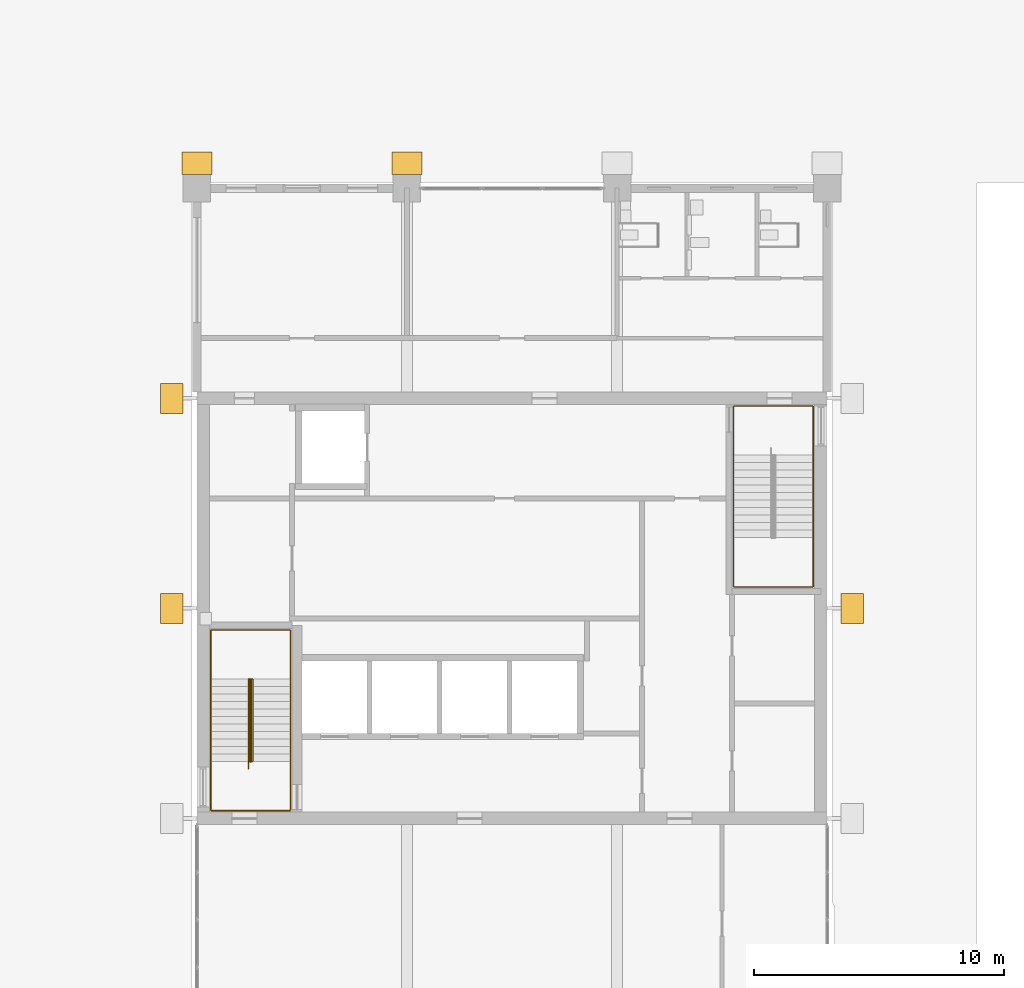
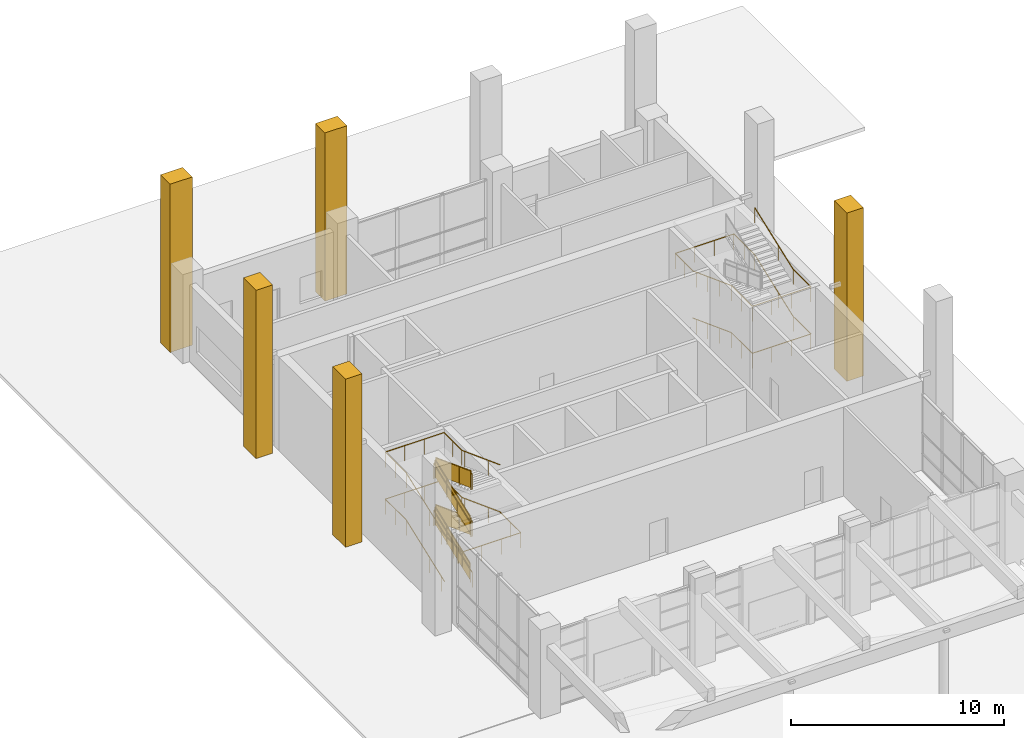
# One storey, part 68 of 74: 7 railings, 5 coverings.
"""IFC4 building model written with IfcOpenShell, lengths in metres."""

from ifc_helpers import new_model, si_unit, direction, frame, origin, origin_2d, place, context, subcontext, project, spatial, polyline, rectangle, circle, outline, extrude, material, type_object, element, save


model = new_model("IFC4")

# Units and contexts
model_context = context("Model", 3, precision=1e-05, world=origin(), true_north=direction((0.0, 1.0)))
body_context = subcontext(model_context, "Body", "Model", "MODEL_VIEW")
ifc_project = project(units=[si_unit("LENGTHUNIT", "METRE"), si_unit("AREAUNIT", "SQUARE_METRE"), si_unit("VOLUMEUNIT", "CUBIC_METRE"), si_unit("PLANEANGLEUNIT", "RADIAN"), si_unit("MASSUNIT", "GRAM", prefix="KILO")], contexts=[model_context])

# Site, building, storey
site_placement = place(None, origin())
site = spatial("IfcSite", under=ifc_project, at=site_placement, CompositionType="ELEMENT")
building_placement = place(site_placement, origin())
building = spatial("IfcBuilding", under=site, at=building_placement, Name="Rulbaag Community and Learning Centre", CompositionType="ELEMENT")
storey_placement = place(building_placement, origin())
storey = spatial("IfcBuildingStorey", under=building, at=storey_placement, Name="L00", CompositionType="ELEMENT", Elevation=0.0)

# Railings
ifc_material_1 = material(Name="Galvanised mild steel", Category="steel")
railing_type_1 = type_object("IfcRailingType", Name="GR-1100 GUARD 1100", PredefinedType="GUARDRAIL", material=ifc_material_1)
railing_1_placement = place(storey_placement, frame((144.929931640625, 94.675048828125, 0.112548828125)))
element("IfcRailing", 1, at=railing_1_placement, inside=storey, type_object=railing_type_1, Name="Guard ST1 L00 G", PredefinedType="GUARDRAIL", context=body_context, shape_type="SweptSolid", body=[
    extrude(circle(Radius=0.02490234375, at=origin_2d()), frame((0.0, 0.0, 1.0751953125), z_axis=(0.0, 0.936326330815, 0.35113103284), x_axis=(-1.0, 0.0, 0.0)), (0.0, 0.0, 1.0), 3.5244140625),
    extrude(circle(Radius=0.02001953125, at=origin_2d()), origin(), (0.0, 0.0, 1.0), 1.050048828125),
    extrude(circle(Radius=0.02001953125, at=origin_2d()), frame((0.0, 1.10009765625, 0.41259765625)), (0.0, 0.0, 1.0), 1.050048828125),
    extrude(circle(Radius=0.02001953125, at=origin_2d()), frame((0.0, 2.199951171875, 0.824951171875)), (0.0, 0.0, 1.0), 1.050048828125),
    extrude(circle(Radius=0.02001953125, at=origin_2d()), frame((0.0, 3.300048828125, 1.237548828125)), (0.0, 0.0, 1.0), 1.050048828125),
    extrude(outline(polyline([(0.0, 0.0), (3.300048828125, 1.237548828125), (3.300048828125, 2.1875), (0.0, 0.949951171875), (0.0, 0.0)])), frame((-0.0048828125, 0.0, 0.10009765625), z_axis=(1.0, 0.0, 0.0), x_axis=(0.0, 1.0, 0.0)), (0.0, 0.0, 1.0), 0.010009765625),
])
railing_2_placement = place(storey_placement, frame((144.969970703125, 97.97509765625, 1.46240234375)))
element("IfcRailing", 2, at=railing_2_placement, inside=storey, type_object=railing_type_1, Name="Guard ST1 L00 G2", PredefinedType="GUARDRAIL", context=body_context, shape_type="SweptSolid", body=[
    extrude(circle(Radius=0.02490234375, at=origin_2d()), frame((0.0, 0.0, 1.0751953125), z_axis=(0.0, -0.936326330815, 0.35113103284), x_axis=(1.0, 0.0, 0.0)), (0.0, 0.0, 1.0), 3.5244140625),
    extrude(circle(Radius=0.02001953125, at=origin_2d()), origin(), (0.0, 0.0, 1.0), 1.050048828125),
    extrude(circle(Radius=0.02001953125, at=origin_2d()), frame((0.0, -1.10009765625, 0.41259765625)), (0.0, 0.0, 1.0), 1.050048828125),
    extrude(circle(Radius=0.02001953125, at=origin_2d()), frame((0.0, -2.199951171875, 0.824951171875)), (0.0, 0.0, 1.0), 1.050048828125),
    extrude(circle(Radius=0.02001953125, at=origin_2d()), frame((0.0, -3.300048828125, 1.237548828125)), (0.0, 0.0, 1.0), 1.050048828125),
    extrude(outline(polyline([(0.0, 0.0), (3.300048828125, 1.237548828125), (3.300048828125, 2.1875), (0.0, 0.949951171875), (0.0, 0.0)])), frame((0.0048828125, 0.0, 0.10009765625), z_axis=(-1.0, 0.0, 0.0), x_axis=(0.0, -1.0, 0.0)), (0.0, 0.0, 1.0), 0.010009765625),
])
railing_3_placement = place(storey_placement, frame((144.929931640625, 94.675048828125, 2.8125)))
element("IfcRailing", 3, at=railing_3_placement, inside=storey, type_object=railing_type_1, Name="Guard ST1 L00 G3", PredefinedType="GUARDRAIL", context=body_context, shape_type="SweptSolid", body=[
    extrude(circle(Radius=0.02490234375, at=origin_2d()), frame((0.0, 0.0, 1.0751953125), z_axis=(0.0, 0.936326330815, 0.35113103284), x_axis=(-1.0, 0.0, 0.0)), (0.0, 0.0, 1.0), 3.5244140625),
    extrude(circle(Radius=0.02001953125, at=origin_2d()), origin(), (0.0, 0.0, 1.0), 1.050048828125),
    extrude(circle(Radius=0.02001953125, at=origin_2d()), frame((0.0, 1.10009765625, 0.41259765625)), (0.0, 0.0, 1.0), 1.050048828125),
    extrude(circle(Radius=0.02001953125, at=origin_2d()), frame((0.0, 2.199951171875, 0.824951171875)), (0.0, 0.0, 1.0), 1.050048828125),
    extrude(circle(Radius=0.02001953125, at=origin_2d()), frame((0.0, 3.300048828125, 1.237548828125)), (0.0, 0.0, 1.0), 1.050048828125),
    extrude(outline(polyline([(0.0, 0.0), (3.300048828125, 1.237548828125), (3.300048828125, 2.1875), (0.0, 0.949951171875), (0.0, 0.0)])), frame((-0.0048828125, 0.0, 0.10009765625), z_axis=(1.0, 0.0, 0.0), x_axis=(0.0, 1.0, 0.0)), (0.0, 0.0, 1.0), 0.010009765625),
])
railing_4_placement = place(storey_placement, frame((144.969970703125, 97.97509765625, 4.16259765625)))
element("IfcRailing", 4, at=railing_4_placement, inside=storey, type_object=railing_type_1, Name="Guard ST1 L00 G4", PredefinedType="GUARDRAIL", context=body_context, shape_type="SweptSolid", body=[
    extrude(circle(Radius=0.02490234375, at=origin_2d()), frame((0.0, 0.0, 1.0751953125), z_axis=(0.0, -0.936349103612, 0.351070300888), x_axis=(1.0, 0.0, 0.0)), (0.0, 0.0, 1.0), 3.5244140625),
    extrude(circle(Radius=0.02001953125, at=origin_2d()), origin(), (0.0, 0.0, 1.0), 1.050048828125),
    extrude(circle(Radius=0.02001953125, at=origin_2d()), frame((0.0, -1.10009765625, 0.412353515625)), (0.0, 0.0, 1.0), 1.050048828125),
    extrude(circle(Radius=0.02001953125, at=origin_2d()), frame((0.0, -2.199951171875, 0.824951171875)), (0.0, 0.0, 1.0), 1.050048828125),
    extrude(circle(Radius=0.02001953125, at=origin_2d()), frame((0.0, -3.300048828125, 1.2373046875)), (0.0, 0.0, 1.0), 1.050048828125),
    extrude(outline(polyline([(0.0, 0.0), (3.300048828125, 1.2373046875), (3.300048828125, 2.187255859375), (0.0, 0.949951171875), (0.0, 0.0)])), frame((0.0048828125, 0.0, 0.10009765625), z_axis=(-1.0, 0.0, 0.0), x_axis=(0.0, -1.0, 0.0)), (0.0, 0.0, 1.0), 0.010009765625),
])
ifc_material_2 = material(Name="Stainless steel grade 316", Category="steel")
railing_type_2 = type_object("IfcRailingType", Name="HR-900 HANDRAIL 900", PredefinedType="HANDRAIL", material=ifc_material_2)
railing_5_placement = place(storey_placement, frame((143.360107421875, 94.375, 0.0)))
element("IfcRailing", 5, at=railing_5_placement, inside=storey, type_object=railing_type_2, Name="Handrail ST1 L00 O", PredefinedType="HANDRAIL", context=body_context, shape_type="SweptSolid", body=[
    extrude(circle(Radius=0.024169921875, at=origin_2d()), frame((0.0, 0.0, 0.875732421875), z_axis=(0.0, 0.936297865471, 0.351206929196), x_axis=(-1.0, 0.0, 0.0)), (0.0, 0.0, 1.0), 0.320556640625),
    extrude(circle(Radius=0.024169921875, at=origin_2d()), frame((0.0, 0.300048828125, 0.98828125), z_axis=(0.0, 0.936326330815, 0.35113103284), x_axis=(-1.0, 0.0, 0.0)), (0.0, 0.0, 1.0), 3.5244140625),
    extrude(circle(Radius=0.024169921875, at=origin_2d()), frame((0.0, 3.60009765625, 2.225830078125), z_axis=(0.0, 1.0, 0.0), x_axis=(-1.0, 0.0, 0.0)), (0.0, 0.0, 1.0), 1.96484375),
    extrude(circle(Radius=0.024169921875, at=origin_2d()), frame((0.0, 5.56494140625, 2.225830078125), z_axis=(1.0, 0.0, 0.0), x_axis=(0.0, 1.0, 0.0)), (0.0, 0.0, 1.0), 3.179931640625),
    extrude(circle(Radius=0.024169921875, at=origin_2d()), frame((3.179931640625, 5.56494140625, 2.225830078125), z_axis=(0.0, -1.0, 0.0), x_axis=(1.0, 0.0, 0.0)), (0.0, 0.0, 1.0), 1.6650390625),
    extrude(circle(Radius=0.024169921875, at=origin_2d()), frame((3.179931640625, 3.89990234375, 2.225830078125), z_axis=(0.0, -0.936454474348, 0.350789135342), x_axis=(1.0, 0.0, 0.0)), (0.0, 0.0, 1.0), 0.320068359375),
    extrude(circle(Radius=0.024169921875, at=origin_2d()), frame((3.179931640625, 3.60009765625, 2.338134765625), z_axis=(0.0, -0.936326330815, 0.35113103284), x_axis=(1.0, 0.0, 0.0)), (0.0, 0.0, 1.0), 3.5244140625),
    extrude(circle(Radius=0.024169921875, at=origin_2d()), frame((3.179931640625, 0.300048828125, 3.57568359375), z_axis=(0.0, -1.0, 0.0), x_axis=(1.0, 0.0, 0.0)), (0.0, 0.0, 1.0), 1.965087890625),
    extrude(circle(Radius=0.024169921875, at=origin_2d()), frame((3.179931640625, -1.6650390625, 3.57568359375), z_axis=(-1.0, 0.0, 0.0), x_axis=(0.0, -1.0, 0.0)), (0.0, 0.0, 1.0), 3.179931640625),
    extrude(circle(Radius=0.024169921875, at=origin_2d()), frame((0.0, -1.6650390625, 3.57568359375), z_axis=(0.0, 1.0, 0.0), x_axis=(-1.0, 0.0, 0.0)), (0.0, 0.0, 1.0), 1.6650390625),
    extrude(circle(Radius=0.024169921875, at=origin_2d()), frame((0.0, 0.0, 3.57568359375), z_axis=(0.0, 0.936297865471, 0.351206929196), x_axis=(-1.0, 0.0, 0.0)), (0.0, 0.0, 1.0), 0.320556640625),
    extrude(circle(Radius=0.024169921875, at=origin_2d()), frame((0.0, 0.300048828125, 3.688232421875), z_axis=(0.0, 0.936326330815, 0.35113103284), x_axis=(-1.0, 0.0, 0.0)), (0.0, 0.0, 1.0), 3.5244140625),
    extrude(circle(Radius=0.024169921875, at=origin_2d()), frame((0.0, 3.60009765625, 4.92578125), z_axis=(0.0, 1.0, 0.0), x_axis=(-1.0, 0.0, 0.0)), (0.0, 0.0, 1.0), 1.96484375),
    extrude(circle(Radius=0.024169921875, at=origin_2d()), frame((0.0, 5.56494140625, 4.92578125), z_axis=(1.0, 0.0, 0.0), x_axis=(0.0, 1.0, 0.0)), (0.0, 0.0, 1.0), 3.179931640625),
    extrude(circle(Radius=0.024169921875, at=origin_2d()), frame((3.179931640625, 5.56494140625, 4.92578125), z_axis=(0.0, -1.0, 0.0), x_axis=(1.0, 0.0, 0.0)), (0.0, 0.0, 1.0), 1.6650390625),
    extrude(circle(Radius=0.024169921875, at=origin_2d()), frame((3.179931640625, 3.89990234375, 4.92578125), z_axis=(0.0, -0.936203795034, 0.351457613608), x_axis=(1.0, 0.0, 0.0)), (0.0, 0.0, 1.0), 0.3203125),
    extrude(circle(Radius=0.024169921875, at=origin_2d()), frame((3.179931640625, 3.60009765625, 5.038330078125), z_axis=(0.0, -0.936349103612, 0.351070300888), x_axis=(1.0, 0.0, 0.0)), (0.0, 0.0, 1.0), 3.5244140625),
    extrude(circle(Radius=0.008056640625, at=origin_2d()), origin(), (0.0, 0.0, 1.0), 0.8515625),
    extrude(circle(Radius=0.008056640625, at=origin_2d()), frame((0.0, 0.300048828125, 0.112548828125)), (0.0, 0.0, 1.0), 0.8515625),
    extrude(circle(Radius=0.008056640625, at=origin_2d()), frame((0.0, 1.400146484375, 0.525146484375)), (0.0, 0.0, 1.0), 0.8515625),
    extrude(circle(Radius=0.008056640625, at=origin_2d()), frame((0.0, 2.5, 0.9375)), (0.0, 0.0, 1.0), 0.8515625),
    extrude(circle(Radius=0.008056640625, at=origin_2d()), frame((0.0, 3.60009765625, 1.35009765625)), (0.0, 0.0, 1.0), 0.8515625),
    extrude(circle(Radius=0.008056640625, at=origin_2d()), frame((0.0, 4.58251953125, 1.35009765625)), (0.0, 0.0, 1.0), 0.8515625),
    extrude(circle(Radius=0.008056640625, at=origin_2d()), frame((0.0, 5.56494140625, 1.35009765625)), (0.0, 0.0, 1.0), 0.8515625),
    extrude(circle(Radius=0.008056640625, at=origin_2d()), frame((1.06005859375, 5.56494140625, 1.35009765625)), (0.0, 0.0, 1.0), 0.8515625),
    extrude(circle(Radius=0.008056640625, at=origin_2d()), frame((2.119873046875, 5.56494140625, 1.35009765625)), (0.0, 0.0, 1.0), 0.8515625),
    extrude(circle(Radius=0.008056640625, at=origin_2d()), frame((3.179931640625, 5.56494140625, 1.35009765625)), (0.0, 0.0, 1.0), 0.8515625),
    extrude(circle(Radius=0.008056640625, at=origin_2d()), frame((3.179931640625, 4.732421875, 1.35009765625)), (0.0, 0.0, 1.0), 0.8515625),
    extrude(circle(Radius=0.008056640625, at=origin_2d()), frame((3.179931640625, 3.89990234375, 1.35009765625)), (0.0, 0.0, 1.0), 0.8515625),
    extrude(circle(Radius=0.008056640625, at=origin_2d()), frame((3.179931640625, 3.60009765625, 1.46240234375)), (0.0, 0.0, 1.0), 0.8515625),
    extrude(circle(Radius=0.008056640625, at=origin_2d()), frame((3.179931640625, 2.5, 1.875)), (0.0, 0.0, 1.0), 0.8515625),
    extrude(circle(Radius=0.008056640625, at=origin_2d()), frame((3.179931640625, 1.400146484375, 2.287353515625)), (0.0, 0.0, 1.0), 0.8515625),
    extrude(circle(Radius=0.008056640625, at=origin_2d()), frame((3.179931640625, 0.300048828125, 2.699951171875)), (0.0, 0.0, 1.0), 0.8515625),
    extrude(circle(Radius=0.008056640625, at=origin_2d()), frame((3.179931640625, -0.6826171875, 2.699951171875)), (0.0, 0.0, 1.0), 0.8515625),
    extrude(circle(Radius=0.008056640625, at=origin_2d()), frame((3.179931640625, -1.6650390625, 2.699951171875)), (0.0, 0.0, 1.0), 0.8515625),
    extrude(circle(Radius=0.008056640625, at=origin_2d()), frame((2.119873046875, -1.6650390625, 2.699951171875)), (0.0, 0.0, 1.0), 0.8515625),
    extrude(circle(Radius=0.008056640625, at=origin_2d()), frame((1.06005859375, -1.6650390625, 2.699951171875)), (0.0, 0.0, 1.0), 0.8515625),
    extrude(circle(Radius=0.008056640625, at=origin_2d()), frame((0.0, -1.6650390625, 2.699951171875)), (0.0, 0.0, 1.0), 0.8515625),
    extrude(circle(Radius=0.008056640625, at=origin_2d()), frame((0.0, -0.83251953125, 2.699951171875)), (0.0, 0.0, 1.0), 0.8515625),
    extrude(circle(Radius=0.008056640625, at=origin_2d()), frame((0.0, 0.0, 2.699951171875)), (0.0, 0.0, 1.0), 0.8515625),
    extrude(circle(Radius=0.008056640625, at=origin_2d()), frame((0.0, 0.300048828125, 2.8125)), (0.0, 0.0, 1.0), 0.8515625),
    extrude(circle(Radius=0.008056640625, at=origin_2d()), frame((0.0, 1.400146484375, 3.22509765625)), (0.0, 0.0, 1.0), 0.8515625),
    extrude(circle(Radius=0.008056640625, at=origin_2d()), frame((0.0, 2.5, 3.637451171875)), (0.0, 0.0, 1.0), 0.8515625),
    extrude(circle(Radius=0.008056640625, at=origin_2d()), frame((0.0, 3.60009765625, 4.050048828125)), (0.0, 0.0, 1.0), 0.8515625),
    extrude(circle(Radius=0.008056640625, at=origin_2d()), frame((0.0, 4.58251953125, 4.050048828125)), (0.0, 0.0, 1.0), 0.8515625),
    extrude(circle(Radius=0.008056640625, at=origin_2d()), frame((0.0, 5.56494140625, 4.050048828125)), (0.0, 0.0, 1.0), 0.8515625),
    extrude(circle(Radius=0.008056640625, at=origin_2d()), frame((1.06005859375, 5.56494140625, 4.050048828125)), (0.0, 0.0, 1.0), 0.8515625),
    extrude(circle(Radius=0.008056640625, at=origin_2d()), frame((2.119873046875, 5.56494140625, 4.050048828125)), (0.0, 0.0, 1.0), 0.8515625),
    extrude(circle(Radius=0.008056640625, at=origin_2d()), frame((3.179931640625, 5.56494140625, 4.050048828125)), (0.0, 0.0, 1.0), 0.8515625),
    extrude(circle(Radius=0.008056640625, at=origin_2d()), frame((3.179931640625, 4.732421875, 4.050048828125)), (0.0, 0.0, 1.0), 0.8515625),
    extrude(circle(Radius=0.008056640625, at=origin_2d()), frame((3.179931640625, 3.89990234375, 4.050048828125)), (0.0, 0.0, 1.0), 0.8515625),
    extrude(circle(Radius=0.008056640625, at=origin_2d()), frame((3.179931640625, 3.60009765625, 4.16259765625)), (0.0, 0.0, 1.0), 0.8515625),
    extrude(circle(Radius=0.008056640625, at=origin_2d()), frame((3.179931640625, 2.5, 4.574951171875)), (0.0, 0.0, 1.0), 0.8515625),
    extrude(circle(Radius=0.008056640625, at=origin_2d()), frame((3.179931640625, 1.400146484375, 4.987548828125)), (0.0, 0.0, 1.0), 0.8515625),
    extrude(circle(Radius=0.008056640625, at=origin_2d()), frame((3.179931640625, 0.300048828125, 5.39990234375)), (0.0, 0.0, 1.0), 0.8515625),
])
railing_6_placement = place(storey_placement, frame((144.860107421875, 94.375, 0.0)))
element("IfcRailing", 6, at=railing_6_placement, inside=storey, type_object=railing_type_2, Name="Handrail ST1 L00 I", PredefinedType="HANDRAIL", context=body_context, shape_type="SweptSolid", body=[
    extrude(circle(Radius=0.024169921875, at=origin_2d()), frame((0.0, 0.0, 0.875732421875), z_axis=(0.0, 0.936297865471, 0.351206929196), x_axis=(-1.0, 0.0, 0.0)), (0.0, 0.0, 1.0), 0.320556640625),
    extrude(circle(Radius=0.024169921875, at=origin_2d()), frame((0.0, 0.300048828125, 0.98828125), z_axis=(0.0, 0.936326330815, 0.35113103284), x_axis=(-1.0, 0.0, 0.0)), (0.0, 0.0, 1.0), 3.5244140625),
    extrude(circle(Radius=0.024169921875, at=origin_2d()), frame((0.0, 3.60009765625, 2.225830078125), z_axis=(0.848321473953, 0.0, 0.529481516986), x_axis=(0.0, 1.0, 0.0)), (0.0, 0.0, 1.0), 0.212158203125),
    extrude(circle(Radius=0.024169921875, at=origin_2d()), frame((0.179931640625, 3.60009765625, 2.338134765625), z_axis=(0.0, -0.936326330815, 0.35113103284), x_axis=(1.0, 0.0, 0.0)), (0.0, 0.0, 1.0), 3.5244140625),
    extrude(circle(Radius=0.024169921875, at=origin_2d()), frame((0.179931640625, 0.300048828125, 3.57568359375), z_axis=(-0.847804368873, 0.0, 0.530309109973), x_axis=(0.0, -1.0, 0.0)), (0.0, 0.0, 1.0), 0.212158203125),
    extrude(circle(Radius=0.024169921875, at=origin_2d()), frame((0.0, 0.300048828125, 3.688232421875), z_axis=(0.0, 0.936326330815, 0.35113103284), x_axis=(-1.0, 0.0, 0.0)), (0.0, 0.0, 1.0), 3.5244140625),
    extrude(circle(Radius=0.024169921875, at=origin_2d()), frame((0.0, 3.60009765625, 4.92578125), z_axis=(0.847804368873, 0.0, 0.530309109973), x_axis=(0.0, 1.0, 0.0)), (0.0, 0.0, 1.0), 0.212158203125),
    extrude(circle(Radius=0.024169921875, at=origin_2d()), frame((0.179931640625, 3.60009765625, 5.038330078125), z_axis=(0.0, -0.936349103612, 0.351070300888), x_axis=(1.0, 0.0, 0.0)), (0.0, 0.0, 1.0), 3.5244140625),
    extrude(circle(Radius=0.008056640625, at=origin_2d()), origin(), (0.0, 0.0, 1.0), 0.8515625),
    extrude(circle(Radius=0.008056640625, at=origin_2d()), frame((0.0, 0.300048828125, 0.112548828125)), (0.0, 0.0, 1.0), 0.8515625),
    extrude(circle(Radius=0.008056640625, at=origin_2d()), frame((0.0, 1.400146484375, 0.525146484375)), (0.0, 0.0, 1.0), 0.8515625),
    extrude(circle(Radius=0.008056640625, at=origin_2d()), frame((0.0, 2.5, 0.9375)), (0.0, 0.0, 1.0), 0.8515625),
    extrude(circle(Radius=0.008056640625, at=origin_2d()), frame((0.0, 3.60009765625, 1.35009765625)), (0.0, 0.0, 1.0), 0.8515625),
    extrude(circle(Radius=0.008056640625, at=origin_2d()), frame((0.179931640625, 3.60009765625, 1.46240234375)), (0.0, 0.0, 1.0), 0.8515625),
    extrude(circle(Radius=0.008056640625, at=origin_2d()), frame((0.179931640625, 2.5, 1.875)), (0.0, 0.0, 1.0), 0.8515625),
    extrude(circle(Radius=0.008056640625, at=origin_2d()), frame((0.179931640625, 1.400146484375, 2.287353515625)), (0.0, 0.0, 1.0), 0.8515625),
    extrude(circle(Radius=0.008056640625, at=origin_2d()), frame((0.179931640625, 0.300048828125, 2.699951171875)), (0.0, 0.0, 1.0), 0.8515625),
    extrude(circle(Radius=0.008056640625, at=origin_2d()), frame((0.0, 0.300048828125, 2.8125)), (0.0, 0.0, 1.0), 0.8515625),
    extrude(circle(Radius=0.008056640625, at=origin_2d()), frame((0.0, 1.400146484375, 3.22509765625)), (0.0, 0.0, 1.0), 0.8515625),
    extrude(circle(Radius=0.008056640625, at=origin_2d()), frame((0.0, 2.5, 3.637451171875)), (0.0, 0.0, 1.0), 0.8515625),
    extrude(circle(Radius=0.008056640625, at=origin_2d()), frame((0.0, 3.60009765625, 4.050048828125)), (0.0, 0.0, 1.0), 0.8515625),
    extrude(circle(Radius=0.008056640625, at=origin_2d()), frame((0.179931640625, 3.60009765625, 4.16259765625)), (0.0, 0.0, 1.0), 0.8515625),
    extrude(circle(Radius=0.008056640625, at=origin_2d()), frame((0.179931640625, 2.5, 4.574951171875)), (0.0, 0.0, 1.0), 0.8515625),
    extrude(circle(Radius=0.008056640625, at=origin_2d()), frame((0.179931640625, 1.400146484375, 4.987548828125)), (0.0, 0.0, 1.0), 0.8515625),
    extrude(circle(Radius=0.008056640625, at=origin_2d()), frame((0.179931640625, 0.300048828125, 5.39990234375)), (0.0, 0.0, 1.0), 0.8515625),
])
railing_7_placement = place(storey_placement, frame((164.260009765625, 107.22509765625, 0.0)))
element("IfcRailing", 7, at=railing_7_placement, inside=storey, type_object=railing_type_2, Name="Handrail ST2 L00 O", PredefinedType="HANDRAIL", context=body_context, shape_type="SweptSolid", body=[
    extrude(circle(Radius=0.024169921875, at=origin_2d()), frame((0.0, 0.0, 0.875732421875), z_axis=(0.0, -0.936297865471, 0.351206929196), x_axis=(1.0, 0.0, 0.0)), (0.0, 0.0, 1.0), 0.320556640625),
    extrude(circle(Radius=0.024169921875, at=origin_2d()), frame((0.0, -0.300048828125, 0.98828125), z_axis=(0.0, -0.936326330815, 0.35113103284), x_axis=(1.0, 0.0, 0.0)), (0.0, 0.0, 1.0), 3.5244140625),
    extrude(circle(Radius=0.024169921875, at=origin_2d()), frame((0.0, -3.60009765625, 2.225830078125), z_axis=(0.0, -1.0, 0.0), x_axis=(1.0, 0.0, 0.0)), (0.0, 0.0, 1.0), 1.965087890625),
    extrude(circle(Radius=0.024169921875, at=origin_2d()), frame((0.0, -5.565185546875, 2.225830078125), z_axis=(1.0, 0.0, 0.0), x_axis=(0.0, 1.0, 0.0)), (0.0, 0.0, 1.0), 3.179931640625),
    extrude(circle(Radius=0.024169921875, at=origin_2d()), frame((3.179931640625, -5.565185546875, 2.225830078125), z_axis=(0.0, 1.0, 0.0), x_axis=(-1.0, 0.0, 0.0)), (0.0, 0.0, 1.0), 1.6650390625),
    extrude(circle(Radius=0.024169921875, at=origin_2d()), frame((3.179931640625, -3.900146484375, 2.225830078125), z_axis=(0.0, 0.936548212316, 0.350538793869), x_axis=(-1.0, 0.0, 0.0)), (0.0, 0.0, 1.0), 0.3203125),
    extrude(circle(Radius=0.024169921875, at=origin_2d()), frame((3.179931640625, -3.60009765625, 2.338134765625), z_axis=(0.0, 0.936326330815, 0.35113103284), x_axis=(-1.0, 0.0, 0.0)), (0.0, 0.0, 1.0), 3.5244140625),
    extrude(circle(Radius=0.024169921875, at=origin_2d()), frame((3.179931640625, -0.300048828125, 3.57568359375), z_axis=(0.0, 1.0, 0.0), x_axis=(-1.0, 0.0, 0.0)), (0.0, 0.0, 1.0), 1.96484375),
    extrude(circle(Radius=0.024169921875, at=origin_2d()), frame((3.179931640625, 1.664794921875, 3.57568359375), z_axis=(-1.0, 0.0, 0.0), x_axis=(0.0, -1.0, 0.0)), (0.0, 0.0, 1.0), 3.179931640625),
    extrude(circle(Radius=0.024169921875, at=origin_2d()), frame((0.0, 1.664794921875, 3.57568359375), z_axis=(0.0, -1.0, 0.0), x_axis=(1.0, 0.0, 0.0)), (0.0, 0.0, 1.0), 1.664794921875),
    extrude(circle(Radius=0.024169921875, at=origin_2d()), frame((0.0, 0.0, 3.57568359375), z_axis=(0.0, -0.936297865471, 0.351206929196), x_axis=(1.0, 0.0, 0.0)), (0.0, 0.0, 1.0), 0.320556640625),
    extrude(circle(Radius=0.024169921875, at=origin_2d()), frame((0.0, -0.300048828125, 3.688232421875), z_axis=(0.0, -0.936326330815, 0.35113103284), x_axis=(1.0, 0.0, 0.0)), (0.0, 0.0, 1.0), 3.5244140625),
    extrude(circle(Radius=0.024169921875, at=origin_2d()), frame((0.0, -3.60009765625, 4.92578125), z_axis=(0.0, -1.0, 0.0), x_axis=(1.0, 0.0, 0.0)), (0.0, 0.0, 1.0), 1.965087890625),
    extrude(circle(Radius=0.024169921875, at=origin_2d()), frame((0.0, -5.565185546875, 4.92578125), z_axis=(1.0, 0.0, 0.0), x_axis=(0.0, 1.0, 0.0)), (0.0, 0.0, 1.0), 3.179931640625),
    extrude(circle(Radius=0.024169921875, at=origin_2d()), frame((3.179931640625, -5.565185546875, 4.92578125), z_axis=(0.0, 1.0, 0.0), x_axis=(-1.0, 0.0, 0.0)), (0.0, 0.0, 1.0), 1.6650390625),
    extrude(circle(Radius=0.024169921875, at=origin_2d()), frame((3.179931640625, -3.900146484375, 4.92578125), z_axis=(0.0, 0.936297865471, 0.351206929196), x_axis=(-1.0, 0.0, 0.0)), (0.0, 0.0, 1.0), 0.320556640625),
    extrude(circle(Radius=0.024169921875, at=origin_2d()), frame((3.179931640625, -3.60009765625, 5.038330078125), z_axis=(0.0, 0.936349103612, 0.351070300888), x_axis=(-1.0, 0.0, 0.0)), (0.0, 0.0, 1.0), 3.5244140625),
    extrude(circle(Radius=0.008056640625, at=origin_2d()), origin(), (0.0, 0.0, 1.0), 0.8515625),
    extrude(circle(Radius=0.008056640625, at=origin_2d()), frame((0.0, -0.300048828125, 0.112548828125)), (0.0, 0.0, 1.0), 0.8515625),
    extrude(circle(Radius=0.008056640625, at=origin_2d()), frame((0.0, -1.400146484375, 0.525146484375)), (0.0, 0.0, 1.0), 0.8515625),
    extrude(circle(Radius=0.008056640625, at=origin_2d()), frame((0.0, -2.5, 0.9375)), (0.0, 0.0, 1.0), 0.8515625),
    extrude(circle(Radius=0.008056640625, at=origin_2d()), frame((0.0, -3.60009765625, 1.35009765625)), (0.0, 0.0, 1.0), 0.8515625),
    extrude(circle(Radius=0.008056640625, at=origin_2d()), frame((0.0, -4.58251953125, 1.35009765625)), (0.0, 0.0, 1.0), 0.8515625),
    extrude(circle(Radius=0.008056640625, at=origin_2d()), frame((0.0, -5.565185546875, 1.35009765625)), (0.0, 0.0, 1.0), 0.8515625),
    extrude(circle(Radius=0.008056640625, at=origin_2d()), frame((1.06005859375, -5.565185546875, 1.35009765625)), (0.0, 0.0, 1.0), 0.8515625),
    extrude(circle(Radius=0.008056640625, at=origin_2d()), frame((2.119873046875, -5.565185546875, 1.35009765625)), (0.0, 0.0, 1.0), 0.8515625),
    extrude(circle(Radius=0.008056640625, at=origin_2d()), frame((3.179931640625, -5.565185546875, 1.35009765625)), (0.0, 0.0, 1.0), 0.8515625),
    extrude(circle(Radius=0.008056640625, at=origin_2d()), frame((3.179931640625, -4.732666015625, 1.35009765625)), (0.0, 0.0, 1.0), 0.8515625),
    extrude(circle(Radius=0.008056640625, at=origin_2d()), frame((3.179931640625, -3.900146484375, 1.35009765625)), (0.0, 0.0, 1.0), 0.8515625),
    extrude(circle(Radius=0.008056640625, at=origin_2d()), frame((3.179931640625, -3.60009765625, 1.46240234375)), (0.0, 0.0, 1.0), 0.8515625),
    extrude(circle(Radius=0.008056640625, at=origin_2d()), frame((3.179931640625, -2.5, 1.875)), (0.0, 0.0, 1.0), 0.8515625),
    extrude(circle(Radius=0.008056640625, at=origin_2d()), frame((3.179931640625, -1.400146484375, 2.287353515625)), (0.0, 0.0, 1.0), 0.8515625),
    extrude(circle(Radius=0.008056640625, at=origin_2d()), frame((3.179931640625, -0.300048828125, 2.699951171875)), (0.0, 0.0, 1.0), 0.8515625),
    extrude(circle(Radius=0.008056640625, at=origin_2d()), frame((3.179931640625, 0.682373046875, 2.699951171875)), (0.0, 0.0, 1.0), 0.8515625),
    extrude(circle(Radius=0.008056640625, at=origin_2d()), frame((3.179931640625, 1.664794921875, 2.699951171875)), (0.0, 0.0, 1.0), 0.8515625),
    extrude(circle(Radius=0.008056640625, at=origin_2d()), frame((2.119873046875, 1.664794921875, 2.699951171875)), (0.0, 0.0, 1.0), 0.8515625),
    extrude(circle(Radius=0.008056640625, at=origin_2d()), frame((1.06005859375, 1.664794921875, 2.699951171875)), (0.0, 0.0, 1.0), 0.8515625),
    extrude(circle(Radius=0.008056640625, at=origin_2d()), frame((0.0, 1.664794921875, 2.699951171875)), (0.0, 0.0, 1.0), 0.8515625),
    extrude(circle(Radius=0.008056640625, at=origin_2d()), frame((0.0, 0.83251953125, 2.699951171875)), (0.0, 0.0, 1.0), 0.8515625),
    extrude(circle(Radius=0.008056640625, at=origin_2d()), frame((0.0, 0.0, 2.699951171875)), (0.0, 0.0, 1.0), 0.8515625),
    extrude(circle(Radius=0.008056640625, at=origin_2d()), frame((0.0, -0.300048828125, 2.8125)), (0.0, 0.0, 1.0), 0.8515625),
    extrude(circle(Radius=0.008056640625, at=origin_2d()), frame((0.0, -1.400146484375, 3.22509765625)), (0.0, 0.0, 1.0), 0.8515625),
    extrude(circle(Radius=0.008056640625, at=origin_2d()), frame((0.0, -2.5, 3.637451171875)), (0.0, 0.0, 1.0), 0.8515625),
    extrude(circle(Radius=0.008056640625, at=origin_2d()), frame((0.0, -3.60009765625, 4.050048828125)), (0.0, 0.0, 1.0), 0.8515625),
    extrude(circle(Radius=0.008056640625, at=origin_2d()), frame((0.0, -4.58251953125, 4.050048828125)), (0.0, 0.0, 1.0), 0.8515625),
    extrude(circle(Radius=0.008056640625, at=origin_2d()), frame((0.0, -5.565185546875, 4.050048828125)), (0.0, 0.0, 1.0), 0.8515625),
    extrude(circle(Radius=0.008056640625, at=origin_2d()), frame((1.06005859375, -5.565185546875, 4.050048828125)), (0.0, 0.0, 1.0), 0.8515625),
    extrude(circle(Radius=0.008056640625, at=origin_2d()), frame((2.119873046875, -5.565185546875, 4.050048828125)), (0.0, 0.0, 1.0), 0.8515625),
    extrude(circle(Radius=0.008056640625, at=origin_2d()), frame((3.179931640625, -5.565185546875, 4.050048828125)), (0.0, 0.0, 1.0), 0.8515625),
    extrude(circle(Radius=0.008056640625, at=origin_2d()), frame((3.179931640625, -4.732666015625, 4.050048828125)), (0.0, 0.0, 1.0), 0.8515625),
    extrude(circle(Radius=0.008056640625, at=origin_2d()), frame((3.179931640625, -3.900146484375, 4.050048828125)), (0.0, 0.0, 1.0), 0.8515625),
    extrude(circle(Radius=0.008056640625, at=origin_2d()), frame((3.179931640625, -3.60009765625, 4.16259765625)), (0.0, 0.0, 1.0), 0.8515625),
    extrude(circle(Radius=0.008056640625, at=origin_2d()), frame((3.179931640625, -2.5, 4.574951171875)), (0.0, 0.0, 1.0), 0.8515625),
    extrude(circle(Radius=0.008056640625, at=origin_2d()), frame((3.179931640625, -1.400146484375, 4.987548828125)), (0.0, 0.0, 1.0), 0.8515625),
    extrude(circle(Radius=0.008056640625, at=origin_2d()), frame((3.179931640625, -0.300048828125, 5.39990234375)), (0.0, 0.0, 1.0), 0.8515625),
])

# Coverings
ifc_material_3 = material(Name="Concrete M40", Category="concrete")
covering_type = type_object("IfcCoveringType", Name="PR-1", PredefinedType="CLADDING", material=ifc_material_3)
for number, where, z_axis, x_axis, name in (
    (8, (142.800048828125, 118.60009765625, 0.0), (0.0, 0.0, 1.0), (1.0, 0.0, 0.0), "Base pier"),
    (9, (151.199951171875, 118.60009765625, 0.0), (0.0, 0.0, 1.0), (1.0, 0.0, 0.0), "Base pier"),
):
    element("IfcCovering", number, at=place(storey_placement, frame(where, z_axis=z_axis, x_axis=x_axis)), inside=storey, type_object=covering_type, Name=name, PredefinedType="CLADDING", context=body_context, shape_type="SweptSolid", body=[
        extrude(rectangle(XDim=1.199951171875, YDim=0.89990234375, at=origin_2d()), origin(), (0.0, 0.0, 1.0), 9.64990234375),
    ])
for number, where, z_axis, x_axis, name in (
    (10, (141.800048828125, 100.800048828125, 0.0), (0.0, 0.0, 1.0), (1.0, 0.0, 0.0), "Base pier"),
    (11, (141.800048828125, 109.199951171875, 0.0), (0.0, 0.0, 1.0), (1.0, 0.0, 0.0), "Base pier"),
    (12, (169.0, 100.800048828125, 0.0), (0.0, 0.0, 1.0), (1.0, 0.0, 0.0), "Base pier"),
):
    element("IfcCovering", number, at=place(storey_placement, frame(where, z_axis=z_axis, x_axis=x_axis)), inside=storey, type_object=covering_type, Name=name, PredefinedType="CLADDING", context=body_context, shape_type="SweptSolid", body=[
        extrude(rectangle(XDim=0.89990234375, YDim=1.199951171875, at=origin_2d()), origin(), (0.0, 0.0, 1.0), 9.64990234375),
    ])

save(model, "model.ifc")
